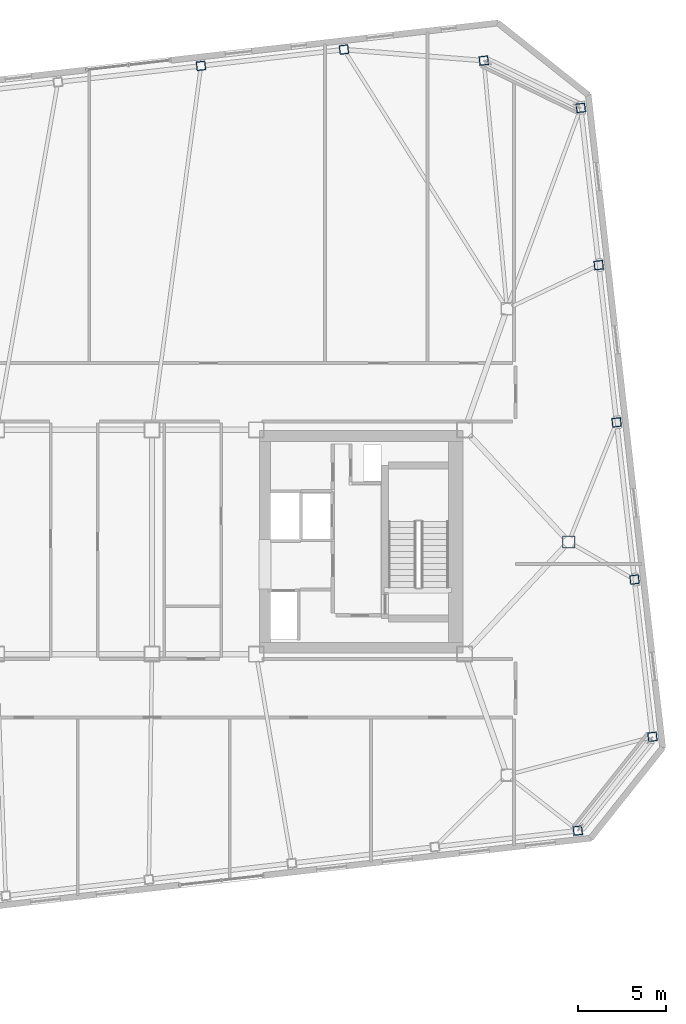
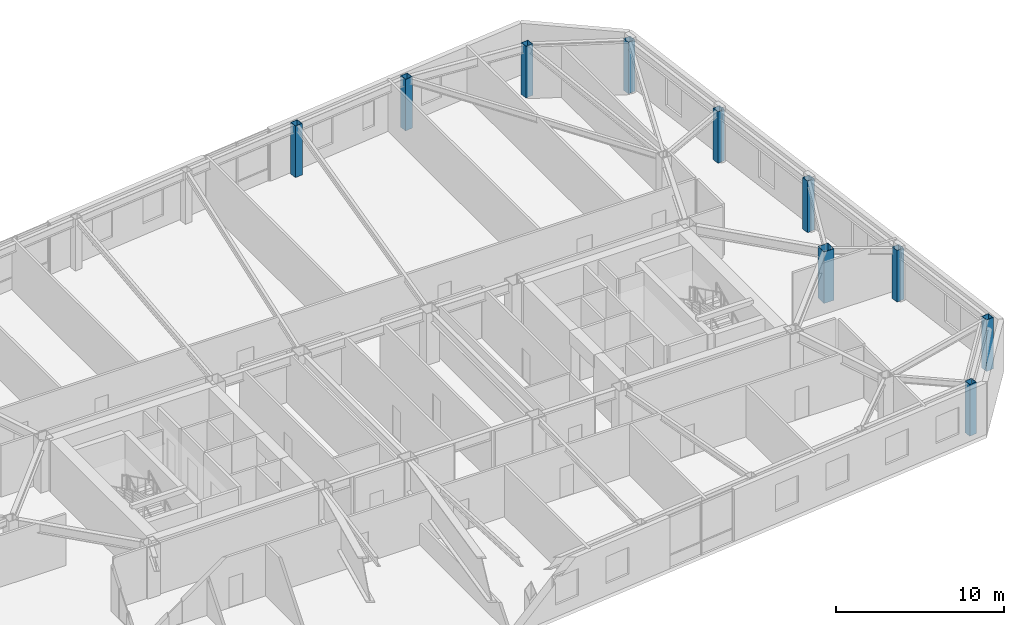
# One storey, part 3 of 19: 10 columns.
"""IFC4 building model written with IfcOpenShell, lengths in metres."""

from ifc_helpers import new_model, si_unit, direction, frame, origin, origin_2d, place, context, subcontext, project, spatial, hollow_rectangle, extrude, material, material_profile, profile_set, type_object, element, save


model = new_model("IFC4")

# Units and contexts
model_context = context("Model", 3, precision=1e-05, world=origin(), true_north=direction((0.0, 1.0)))
body_context = subcontext(model_context, "Body", "Model", "MODEL_VIEW")
ifc_project = project(units=[si_unit("LENGTHUNIT", "METRE"), si_unit("AREAUNIT", "SQUARE_METRE"), si_unit("VOLUMEUNIT", "CUBIC_METRE"), si_unit("PLANEANGLEUNIT", "RADIAN"), si_unit("MASSUNIT", "GRAM", prefix="KILO")], contexts=[model_context])

# Site, building, storey
site_placement = place(None, origin())
site = spatial("IfcSite", under=ifc_project, at=site_placement, CompositionType="ELEMENT")
building_placement = place(site_placement, origin())
building = spatial("IfcBuilding", under=site, at=building_placement, Name="Tavrogorsk Clinical Tower", CompositionType="ELEMENT")
storey_placement = place(building_placement, frame((0.0, 0.0, 218.199951171875)))
storey = spatial("IfcBuildingStorey", under=building, at=storey_placement, Name="L50", CompositionType="ELEMENT", Elevation=218.199951171875)

# Columns
ifc_material_1 = material(Name="Structural steel S440", Category="steel")
ifc_material_profile_1 = material_profile(ifc_material_1, hollow_rectangle(XDim=0.699951171875, YDim=0.699951171875, WallThickness=0.031982421875, at=origin_2d()), Name="BOX-700x700x32")
ifc_profile_set_1 = profile_set([ifc_material_profile_1], Name="Structural steel S440")
column_type_1 = type_object("IfcColumnType", Name="MegaCol_BOX700", PredefinedType="COLUMN", material=ifc_profile_set_1)
column_placement = place(storey_placement, frame((28.0, 0.0, 0.0), z_axis=(0.0, 0.0, 1.0), x_axis=(1.0, 0.0, 0.0)))
element("IfcColumn", 1, at=column_placement, inside=storey, type_object=column_type_1, Name="L50 Spine Pilotis Column MC-P6", PredefinedType="COLUMN", context=body_context, shape_type="SweptSolid", body=[
    extrude(hollow_rectangle(XDim=0.699951171875, YDim=0.699951171875, WallThickness=0.031982421875, at=origin_2d()), origin(), (0.0, 0.0, 1.0), 3.739990234375),
])
ifc_material_2 = material(Name="Structural steel S440", Category="steel")
ifc_material_profile_2 = material_profile(ifc_material_2, hollow_rectangle(XDim=0.5, YDim=0.5, WallThickness=0.02490234375, at=origin_2d()), Name="BOX-500x500x25")
ifc_profile_set_2 = profile_set([ifc_material_profile_2], Name="Structural steel S440")
column_type_2 = type_object("IfcColumnType", Name="PerimCol_B4_BOX500", PredefinedType="COLUMN", material=ifc_profile_set_2)
for number, where, z_axis, x_axis, name in (
    (2, (28.508544921875, -16.345458984375, 0.0), (0.0, 0.0, 1.0), (0.993571855677, 0.113203213768, 0.0), "L50 Perimeter Column S8"),
    (3, (23.188232421875, 27.25341796875, 0.0), (0.0, 0.0, 1.0), (0.993571855677, 0.113203213768, 0.0), "L50 Perimeter Column N1"),
    (4, (15.2685546875, 27.880126953125, 0.0), (0.0, 0.0, 1.0), (0.993571855677, 0.113203213768, 0.0), "L50 Perimeter Column N2"),
    (5, (7.17236328125, 26.95751953125, 0.0), (0.0, 0.0, 1.0), (0.993571855677, 0.113203213768, 0.0), "L50 Perimeter Column N3"),
    (6, (32.734375, -11.032958984375, 0.0), (0.0, 0.0, 1.0), (0.993571855677, 0.113203213768, 0.0), "L50 Perimeter Column E1"),
    (7, (31.72021484375, -2.130615234375, 0.0), (0.0, 0.0, 1.0), (0.993571855677, 0.113203213768, 0.0), "L50 Perimeter Column E2"),
    (8, (30.705810546875, 6.77197265625, 0.0), (0.0, 0.0, 1.0), (0.993571855677, 0.113203213768, 0.0), "L50 Perimeter Column E3"),
    (9, (29.69140625, 15.67431640625, 0.0), (0.0, 0.0, 1.0), (0.993571855677, 0.113203213768, 0.0), "L50 Perimeter Column E4"),
    (10, (28.67724609375, 24.57666015625, 0.0), (0.0, 0.0, 1.0), (0.993571855677, 0.113203213768, 0.0), "L50 Perimeter Column E5"),
):
    element("IfcColumn", number, at=place(storey_placement, frame(where, z_axis=z_axis, x_axis=x_axis)), inside=storey, type_object=column_type_2, Name=name, PredefinedType="COLUMN", context=body_context, shape_type="SweptSolid", body=[
        extrude(hollow_rectangle(XDim=0.5, YDim=0.5, WallThickness=0.02490234375, at=origin_2d()), origin(), (0.0, 0.0, 1.0), 3.739990234375),
    ])

save(model, "model.ifc")
